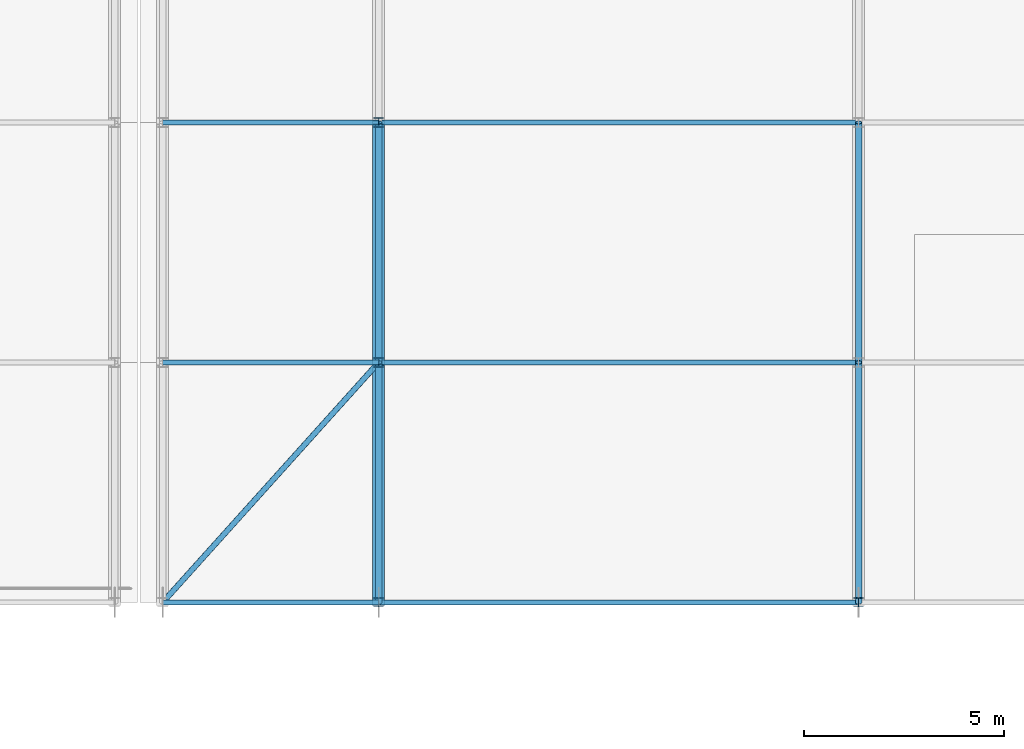
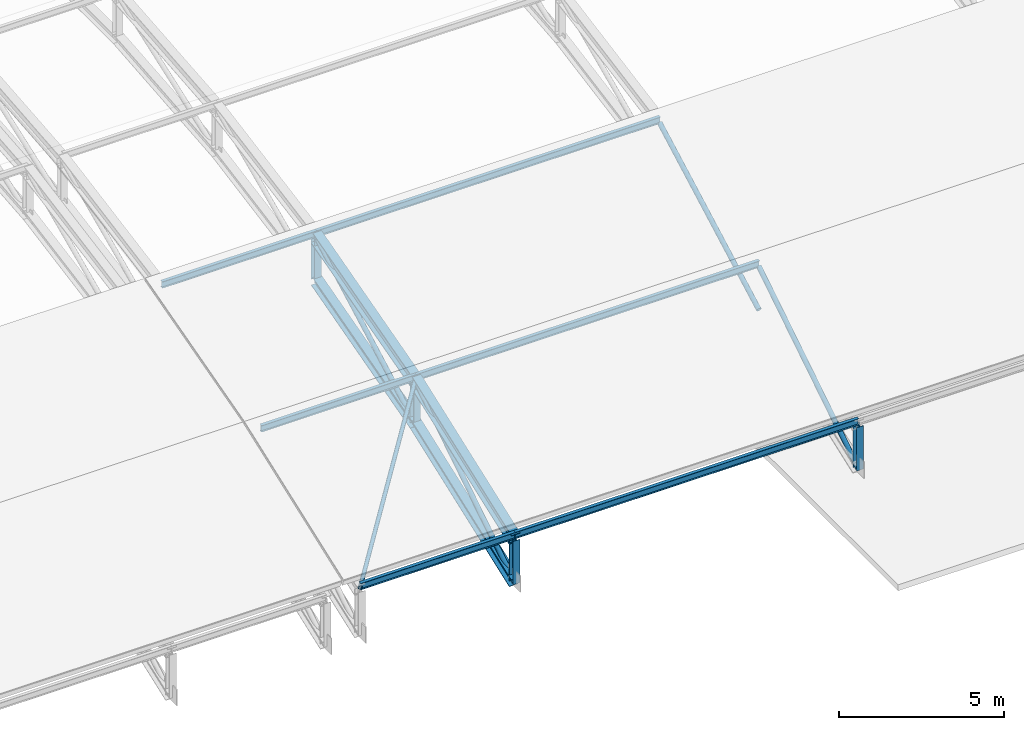
# One storey, part 90 of 204: 19 members.
"""IFC4 building model written with IfcOpenShell, lengths in metres."""

from ifc_helpers import new_model, si_unit, direction, frame, origin, origin_2d, place, context, subcontext, project, spatial, hollow_circle, i_section, extrude, material, material_profile, profile_set, type_object, element, save


model = new_model("IFC4")

# Units and contexts
model_context = context("Model", 3, precision=1e-05, world=origin(), true_north=direction((0.0, 1.0)))
body_context = subcontext(model_context, "Body", "Model", "MODEL_VIEW")
ifc_project = project(units=[si_unit("LENGTHUNIT", "METRE"), si_unit("AREAUNIT", "SQUARE_METRE"), si_unit("VOLUMEUNIT", "CUBIC_METRE"), si_unit("PLANEANGLEUNIT", "RADIAN"), si_unit("MASSUNIT", "GRAM", prefix="KILO")], contexts=[model_context])

# Site, building, storey
site_placement = place(None, origin())
site = spatial("IfcSite", under=ifc_project, at=site_placement, CompositionType="ELEMENT")
building_placement = place(site_placement, origin())
building = spatial("IfcBuilding", under=site, at=building_placement, Name="Zilviju Railside Exhibition Hall", CompositionType="ELEMENT")
storey_placement = place(building_placement, frame((0.0, 0.0, 21.0)))
storey = spatial("IfcBuildingStorey", under=building, at=storey_placement, Name="RF", CompositionType="ELEMENT", Elevation=21.0)

# Members
ifc_material = material(Name="Steel S355J2", Category="steel")
ifc_material_profile_1 = material_profile(ifc_material, hollow_circle(Radius=0.06982421875, WallThickness=0.00634765625, at=origin_2d()), Name="CHS 139.7x6.3")
ifc_profile_set_1 = profile_set([ifc_material_profile_1], Name="Steel S355J2")
member_type_1 = type_object("IfcMemberType", Name="TR-BR-CHS139", PredefinedType="BRACE", material=ifc_profile_set_1)
member_1_placement = place(storey_placement, frame((126.60009765625, 0.0, -6.14013671875), z_axis=(0.645910672406, 0.717691503981, 0.260227416666), x_axis=(-0.743300161789, 0.668958047626, 0.0)))
element("IfcMember", 1, at=member_1_placement, inside=storey, type_object=member_type_1, Name="V1 Roof Wind Brace (126.6..132.0)", PredefinedType="BRACE", context=body_context, shape_type="SweptSolid", body=[
    extrude(hollow_circle(Radius=0.06982421875, WallThickness=0.00634765625, at=origin_2d()), origin(), (0.0, 0.0, 1.0), 8.360107421875),
])
ifc_material_profile_2 = material_profile(ifc_material, hollow_circle(Radius=0.084228515625, WallThickness=0.008056640625, at=origin_2d()), Name="CHS 168.3x8.0")
ifc_profile_set_2 = profile_set([ifc_material_profile_2], Name="Steel S355J2")
member_type_2 = type_object("IfcMemberType", Name="TR-BR-CHS168", PredefinedType="BRACE", material=ifc_profile_set_2)
member_2_placement = place(storey_placement, frame((132.0, 0.0, -7.800048828125), z_axis=(0.0, 0.844023315733, 0.536306481872), x_axis=(-1.0, 0.0, 0.0)))
element("IfcMember", 2, at=member_2_placement, inside=storey, type_object=member_type_2, Name="V1 Parabolic Arch Web Diagonal X=132.0 P1", PredefinedType="BRACE", context=body_context, shape_type="SweptSolid", body=[
    extrude(hollow_circle(Radius=0.084228515625, WallThickness=0.008056640625, at=origin_2d()), origin(), (0.0, 0.0, 1.0), 7.10888671875),
])
member_3_placement = place(storey_placement, frame((132.0, 6.0, -5.587646484375), z_axis=(0.0, 0.87872232578, 0.477333294644), x_axis=(-1.0, 0.0, 0.0)))
element("IfcMember", 3, at=member_3_placement, inside=storey, type_object=member_type_2, Name="V1 Parabolic Arch Web Diagonal X=132.0 P2", PredefinedType="BRACE", context=body_context, shape_type="SweptSolid", body=[
    extrude(hollow_circle(Radius=0.084228515625, WallThickness=0.008056640625, at=origin_2d()), origin(), (0.0, 0.0, 1.0), 6.828125),
])
member_4_placement = place(storey_placement, frame((144.0, 0.0, -7.800048828125), z_axis=(0.0, 0.844023315733, 0.536306481872), x_axis=(-1.0, 0.0, 0.0)))
element("IfcMember", 4, at=member_4_placement, inside=storey, type_object=member_type_2, Name="V1 Parabolic Arch Web Diagonal X=144.0 P1", PredefinedType="BRACE", context=body_context, shape_type="SweptSolid", body=[
    extrude(hollow_circle(Radius=0.084228515625, WallThickness=0.008056640625, at=origin_2d()), origin(), (0.0, 0.0, 1.0), 7.10888671875),
])
member_5_placement = place(storey_placement, frame((144.0, 6.0, -5.587646484375), z_axis=(0.0, 0.87872232578, 0.477333294644), x_axis=(-1.0, 0.0, 0.0)))
element("IfcMember", 5, at=member_5_placement, inside=storey, type_object=member_type_2, Name="V1 Parabolic Arch Web Diagonal X=144.0 P2", PredefinedType="BRACE", context=body_context, shape_type="SweptSolid", body=[
    extrude(hollow_circle(Radius=0.084228515625, WallThickness=0.008056640625, at=origin_2d()), origin(), (0.0, 0.0, 1.0), 6.828125),
])
ifc_material_profile_3 = material_profile(ifc_material, i_section(OverallWidth=0.300048828125, OverallDepth=0.360107421875, WebThickness=0.012451171875, FlangeThickness=0.0224609375, at=origin_2d()), Name="HEB 360")
ifc_profile_set_3 = profile_set([ifc_material_profile_3], Name="Steel S355J2")
member_type_3 = type_object("IfcMemberType", Name="TR-CH-HEB360", PredefinedType="CHORD", material=ifc_profile_set_3)
member_6_placement = place(storey_placement, frame((132.0, 0.0, -7.800048828125), z_axis=(0.0, 0.938247917098, 0.345963648468), x_axis=(-1.0, 0.0, 0.0)))
element("IfcMember", 6, at=member_6_placement, inside=storey, type_object=member_type_3, Name="V1 Parabolic Arch Bottom Chord X=132.0 P1", PredefinedType="CHORD", context=body_context, shape_type="SweptSolid", body=[
    extrude(i_section(OverallWidth=0.300048828125, OverallDepth=0.360107421875, WebThickness=0.012451171875, FlangeThickness=0.0224609375, at=origin_2d()), origin(), (0.0, 0.0, 1.0), 6.39501953125),
])
member_7_placement = place(storey_placement, frame((132.0, 6.0, -5.587646484375), z_axis=(0.0, 0.963827412659, 0.266527144223), x_axis=(-1.0, 0.0, 0.0)))
element("IfcMember", 7, at=member_7_placement, inside=storey, type_object=member_type_3, Name="V1 Parabolic Arch Bottom Chord X=132.0 P2", PredefinedType="CHORD", context=body_context, shape_type="SweptSolid", body=[
    extrude(i_section(OverallWidth=0.300048828125, OverallDepth=0.360107421875, WebThickness=0.012451171875, FlangeThickness=0.0224609375, at=origin_2d()), origin(), (0.0, 0.0, 1.0), 6.22509765625),
])
ifc_material_profile_4 = material_profile(ifc_material, i_section(OverallWidth=0.300048828125, OverallDepth=0.449951171875, WebThickness=0.013916015625, FlangeThickness=0.02587890625, at=origin_2d()), Name="HEB 450")
ifc_profile_set_4 = profile_set([ifc_material_profile_4], Name="Steel S355J2")
member_type_4 = type_object("IfcMemberType", Name="TR-CH-HEB450", PredefinedType="CHORD", material=ifc_profile_set_4)
member_8_placement = place(storey_placement, frame((132.0, 0.0, -6.199951171875), z_axis=(0.0, 0.938247917098, 0.345963648468), x_axis=(-1.0, 0.0, 0.0)))
element("IfcMember", 8, at=member_8_placement, inside=storey, type_object=member_type_4, Name="V1 Parabolic Arch Top Chord X=132.0 P1", PredefinedType="CHORD", context=body_context, shape_type="SweptSolid", body=[
    extrude(i_section(OverallWidth=0.300048828125, OverallDepth=0.449951171875, WebThickness=0.013916015625, FlangeThickness=0.02587890625, at=origin_2d()), origin(), (0.0, 0.0, 1.0), 6.39501953125),
])
member_9_placement = place(storey_placement, frame((132.0, 6.0, -3.987548828125), z_axis=(0.0, 0.963827412659, 0.266527144223), x_axis=(-1.0, 0.0, 0.0)))
element("IfcMember", 9, at=member_9_placement, inside=storey, type_object=member_type_4, Name="V1 Parabolic Arch Top Chord X=132.0 P2", PredefinedType="CHORD", context=body_context, shape_type="SweptSolid", body=[
    extrude(i_section(OverallWidth=0.300048828125, OverallDepth=0.449951171875, WebThickness=0.013916015625, FlangeThickness=0.02587890625, at=origin_2d()), origin(), (0.0, 0.0, 1.0), 6.22509765625),
])
ifc_material_profile_5 = material_profile(ifc_material, i_section(OverallWidth=0.239990234375, OverallDepth=0.22998046875, WebThickness=0.007568359375, FlangeThickness=0.011962890625, at=origin_2d()), Name="HEA 240")
ifc_profile_set_5 = profile_set([ifc_material_profile_5], Name="Steel S355J2")
member_type_5 = type_object("IfcMemberType", Name="TR-POST-HEA240", PredefinedType="POST", material=ifc_profile_set_5)
for number, where, z_axis, x_axis, name in (
    (10, (132.0, 0.0, -7.800048828125), (0.0, 0.0, 1.0), (1.0, 0.0, 0.0), "V1 Parabolic Arch Web Post X=132.0 N0"),
    (11, (132.0, 6.0, -5.587646484375), (0.0, 0.0, 1.0), (1.0, 0.0, 0.0), "V1 Parabolic Arch Web Post X=132.0 N1"),
    (12, (132.0, 12.0, -3.928466796875), (0.0, 0.0, 1.0), (1.0, 0.0, 0.0), "V1 Parabolic Arch Web Post X=132.0 N2"),
    (13, (144.0, 0.0, -7.800048828125), (0.0, 0.0, 1.0), (1.0, 0.0, 0.0), "V1 Parabolic Arch Web Post X=144.0 N0"),
):
    element("IfcMember", number, at=place(storey_placement, frame(where, z_axis=z_axis, x_axis=x_axis)), inside=storey, type_object=member_type_5, Name=name, PredefinedType="POST", context=body_context, shape_type="SweptSolid", body=[
        extrude(i_section(OverallWidth=0.239990234375, OverallDepth=0.22998046875, WebThickness=0.007568359375, FlangeThickness=0.011962890625, at=origin_2d()), origin(), (0.0, 0.0, 1.0), 1.60009765625),
    ])
ifc_material_profile_6 = material_profile(ifc_material, i_section(OverallWidth=0.1201171875, OverallDepth=0.239990234375, WebThickness=0.006103515625, FlangeThickness=0.009765625, at=origin_2d()), Name="IPE 240")
ifc_profile_set_6 = profile_set([ifc_material_profile_6], Name="Steel S355J2")
member_type_6 = type_object("IfcMemberType", Name="TR-PUR-IPE240", PredefinedType="PURLIN", material=ifc_profile_set_6)
for number, where, z_axis, x_axis, name in (
    (14, (126.60009765625, 0.0, -6.05517578125), (1.0, 0.0, 0.0), (0.0, 1.0, 0.0), "V1 Barrel Vault Roof Purlin Y=0.0 (126.6..132.0)"),
    (15, (126.60009765625, 6.0, -3.864990234375), (1.0, 0.0, 0.0), (0.0, 1.0, 0.0), "V1 Barrel Vault Roof Purlin Y=6.0 (126.6..132.0)"),
    (16, (126.60009765625, 12.0, -2.193603515625), (1.0, 0.0, 0.0), (0.0, 1.0, 0.0), "V1 Barrel Vault Roof Purlin Y=12.0 (126.6..132.0)"),
):
    element("IfcMember", number, at=place(storey_placement, frame(where, z_axis=z_axis, x_axis=x_axis)), inside=storey, type_object=member_type_6, Name=name, PredefinedType="PURLIN", context=body_context, shape_type="SweptSolid", body=[
        extrude(i_section(OverallWidth=0.1201171875, OverallDepth=0.239990234375, WebThickness=0.006103515625, FlangeThickness=0.009765625, at=origin_2d()), origin(), (0.0, 0.0, 1.0), 5.39990234375),
    ])
for number, where, z_axis, x_axis, name in (
    (17, (132.0, 0.0, -6.05517578125), (1.0, 0.0, 0.0), (0.0, 1.0, 0.0), "V1 Barrel Vault Roof Purlin Y=0.0 (132.0..144.0)"),
    (18, (132.0, 6.0, -3.864990234375), (1.0, 0.0, 0.0), (0.0, 1.0, 0.0), "V1 Barrel Vault Roof Purlin Y=6.0 (132.0..144.0)"),
    (19, (132.0, 12.0, -2.193603515625), (1.0, 0.0, 0.0), (0.0, 1.0, 0.0), "V1 Barrel Vault Roof Purlin Y=12.0 (132.0..144.0)"),
):
    element("IfcMember", number, at=place(storey_placement, frame(where, z_axis=z_axis, x_axis=x_axis)), inside=storey, type_object=member_type_6, Name=name, PredefinedType="PURLIN", context=body_context, shape_type="SweptSolid", body=[
        extrude(i_section(OverallWidth=0.1201171875, OverallDepth=0.239990234375, WebThickness=0.006103515625, FlangeThickness=0.009765625, at=origin_2d()), origin(), (0.0, 0.0, 1.0), 12.0),
    ])

save(model, "model.ifc")
